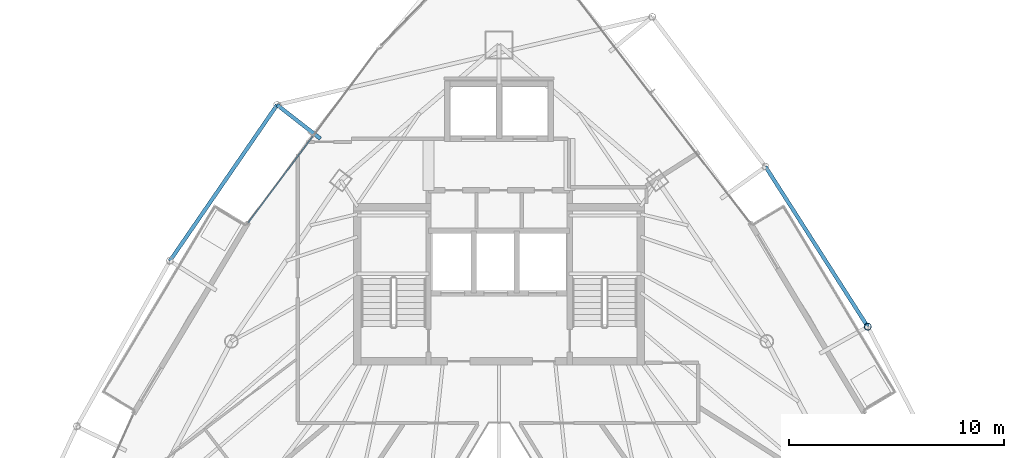
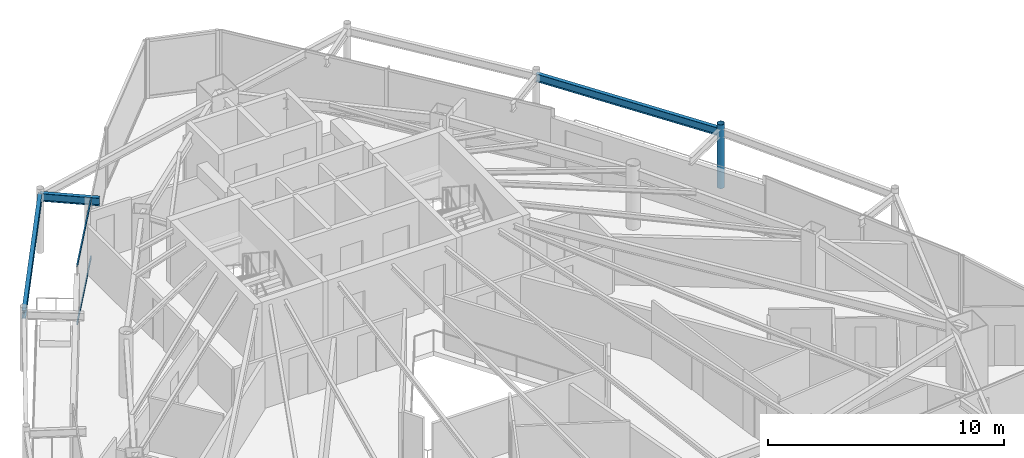
# One storey, part 22 of 33: 3 beams, 3 members, 1 element without a shape of its own.
"""IFC4 building model written with IfcOpenShell, lengths in metres."""

from ifc_helpers import new_model, si_unit, direction, frame, origin, origin_2d, place, context, subcontext, project, spatial, hollow_rectangle, hollow_circle, i_section, extrude, material, layer, layer_set, material_profile, profile_set, type_object, element, aggregate, save


model = new_model("IFC4")

# Units and contexts
model_context = context("Model", 3, precision=1e-05, world=origin(), true_north=direction((0.0, 1.0)))
body_context = subcontext(model_context, "Body", "Model", "MODEL_VIEW")
ifc_project = project(units=[si_unit("LENGTHUNIT", "METRE"), si_unit("AREAUNIT", "SQUARE_METRE"), si_unit("VOLUMEUNIT", "CUBIC_METRE"), si_unit("PLANEANGLEUNIT", "RADIAN"), si_unit("MASSUNIT", "GRAM", prefix="KILO")], contexts=[model_context])

# Site, building, storey
site_placement = place(None, origin())
site = spatial("IfcSite", under=ifc_project, at=site_placement, CompositionType="ELEMENT")
building_placement = place(site_placement, origin())
building = spatial("IfcBuilding", under=site, at=building_placement, Name="Orvanel Arch Residences", CompositionType="ELEMENT")
storey_placement = place(building_placement, frame((0.0, 0.0, 209.60009765625)))
storey = spatial("IfcBuildingStorey", under=building, at=storey_placement, Name="L59", CompositionType="ELEMENT", Elevation=209.60009765625)

# Beams
ifc_material_1 = material(Name="Structural steel AS/NZS 3679.1 Grade 300 (300 MPa)", Category="steel")
ifc_material_profile_1 = material_profile(ifc_material_1, i_section(OverallWidth=0.177978515625, OverallDepth=0.406005859375, WebThickness=0.0078125, FlangeThickness=0.0126953125, at=origin_2d()), Name="410UB59.7")
ifc_profile_set_1 = profile_set([ifc_material_profile_1], Name="Structural steel AS/NZS 3679.1 Grade 300 (300 MPa)")
beam_type = type_object("IfcBeamType", Name="OB-410UB-EXT", PredefinedType="SPANDREL", material=ifc_profile_set_1)
beam_1_placement = place(storey_placement, frame((24.705078125, 37.049072265625, 2.85693359375), z_axis=(-0.788635080154, 0.614861537544, 0.0), x_axis=(-0.614861537544, -0.788635080154, 0.0)))
element("IfcBeam", 1, at=beam_1_placement, inside=storey, type_object=beam_type, Name="L59 Outer Frame Radial Tie Beam 01", PredefinedType="SPANDREL", context=body_context, shape_type="SweptSolid", body=[
    extrude(i_section(OverallWidth=0.177978515625, OverallDepth=0.406005859375, WebThickness=0.0078125, FlangeThickness=0.0126953125, at=origin_2d()), origin(), (0.0, 0.0, 1.0), 2.550048828125),
])
beam_2_placement = place(storey_placement, frame((22.694091796875, 38.616943359375, 2.85693359375), z_axis=(-0.566488701146, -0.824069506458, 0.0), x_axis=(0.824069506458, -0.566488701146, 0.0)))
element("IfcBeam", 2, at=beam_2_placement, inside=storey, type_object=beam_type, Name="L59 Outer Perimeter Floor Ring Beam 01", PredefinedType="SPANDREL", context=body_context, shape_type="SweptSolid", body=[
    extrude(i_section(OverallWidth=0.177978515625, OverallDepth=0.406005859375, WebThickness=0.0078125, FlangeThickness=0.0126953125, at=origin_2d()), origin(), (0.0, 0.0, 1.0), 8.780517578125),
])
beam_3_placement = place(storey_placement, frame((50.114990234375, 28.322021484375, 2.85693359375), z_axis=(-0.538374527033, 0.842705683286, 0.0), x_axis=(-0.842705683286, -0.538374527033, 0.0)))
element("IfcBeam", 3, at=beam_3_placement, inside=storey, type_object=beam_type, Name="L59 Outer Perimeter Floor Ring Beam 10", PredefinedType="SPANDREL", context=body_context, shape_type="SweptSolid", body=[
    extrude(i_section(OverallWidth=0.177978515625, OverallDepth=0.406005859375, WebThickness=0.0078125, FlangeThickness=0.0126953125, at=origin_2d()), origin(), (0.0, 0.0, 1.0), 8.815673828125),
])

# Member
ifc_material_2 = material(Name="Structural steel AS/NZS 1163 C350L0 (Grade 350)", Category="steel")
ifc_material_profile_2 = material_profile(ifc_material_2, hollow_circle(Radius=0.162109375, WallThickness=0.0126953125, at=origin_2d()), Name="CHS324x12.7")
ifc_profile_set_2 = profile_set([ifc_material_profile_2], Name="Structural steel AS/NZS 1163 C350L0 (Grade 350)")
member_type_1 = type_object("IfcMemberType", Name="ST-324CHS-EXT", PredefinedType="STRUT", material=ifc_profile_set_2)
member_1_placement = place(storey_placement, frame((50.114990234375, 28.322021484375, 0.0), z_axis=(0.0, 0.0, 1.0), x_axis=(1.0, 0.0, 0.0)))
element("IfcMember", 4, at=member_1_placement, inside=storey, type_object=member_type_1, Name="L59 Outer Perimeter Frame Post 10", PredefinedType="STRUT", context=body_context, shape_type="SweptSolid", body=[
    extrude(hollow_circle(Radius=0.162109375, WallThickness=0.0126953125, at=origin_2d()), origin(), (0.0, 0.0, 1.0), 3.2998046875),
])

# Curtain wall, members
ifc_material_3 = material(Name="Bronze-anodised aluminium AA6063-T6", Category="aluminium")
ifc_layer = layer(ifc_material_3, 0.175048828125)
ifc_layer_set = layer_set([ifc_layer], Name="Bronze-anodised aluminium AA6063-T6")
curtain_wall_type = type_object("IfcCurtainWallType", Name="CW4-HI-SYS", PredefinedType="NOTDEFINED", material=ifc_layer_set)
curtain_wall_placement = place(storey_placement, origin())
curtain_wall = element("IfcCurtainWall", 5, at=curtain_wall_placement, inside=storey, type_object=curtain_wall_type, Name="L59 CW4-HI-SYS Unitised Curtain Wall", PredefinedType="NOTDEFINED")
ifc_material_profile_3 = material_profile(ifc_material_3, hollow_rectangle(XDim=0.06005859375, YDim=0.1201171875, WallThickness=0.00341796875, at=origin_2d()), Name="ALU120x60x3.5")
ifc_profile_set_3 = profile_set([ifc_material_profile_3], Name="Bronze-anodised aluminium AA6063-T6")
member_type_2 = type_object("IfcMemberType", Name="TRN-120x60", PredefinedType="USERDEFINED", material=ifc_profile_set_3)
member_2_placement = place(storey_placement, frame((24.34814453125, 37.154052734375, 0.02978515625), z_axis=(-0.599155454717, -0.800632712973, 0.0), x_axis=(0.800632712973, -0.599155454717, 0.0)))
member_2 = element("IfcMember", 6, at=member_2_placement, type_object=member_type_2, Name="CW-S4 transom 2.1", ObjectType="TRANSOM", PredefinedType="USERDEFINED", context=body_context, shape_type="SweptSolid", body=[
    extrude(hollow_rectangle(XDim=0.06005859375, YDim=0.1201171875, WallThickness=0.00341796875, at=origin_2d()), origin(), (0.0, 0.0, 1.0), 4.997314453125),
])
member_3_placement = place(storey_placement, frame((24.34814453125, 37.154052734375, 3.02978515625), z_axis=(-0.599155454717, -0.800632712973, 0.0), x_axis=(0.800632712973, -0.599155454717, 0.0)))
member_3 = element("IfcMember", 7, at=member_3_placement, type_object=member_type_2, Name="CW-S4 transom 2.2", ObjectType="TRANSOM", PredefinedType="USERDEFINED", context=body_context, shape_type="SweptSolid", body=[
    extrude(hollow_rectangle(XDim=0.06005859375, YDim=0.1201171875, WallThickness=0.00341796875, at=origin_2d()), origin(), (0.0, 0.0, 1.0), 4.997314453125),
])
aggregate(curtain_wall, [member_2, member_3])

save(model, "model.ifc")
